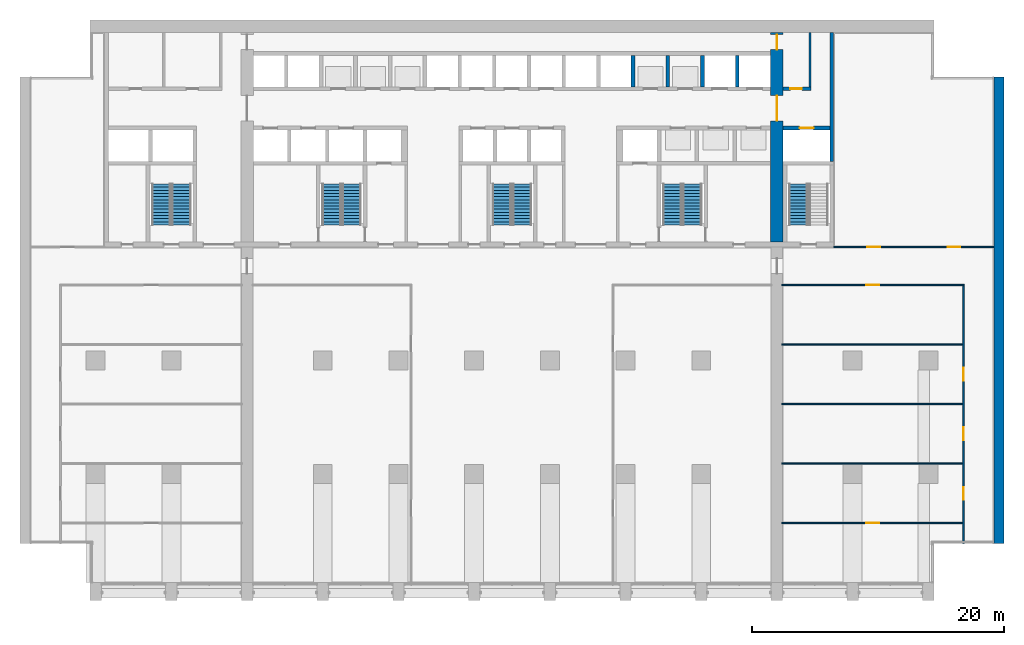
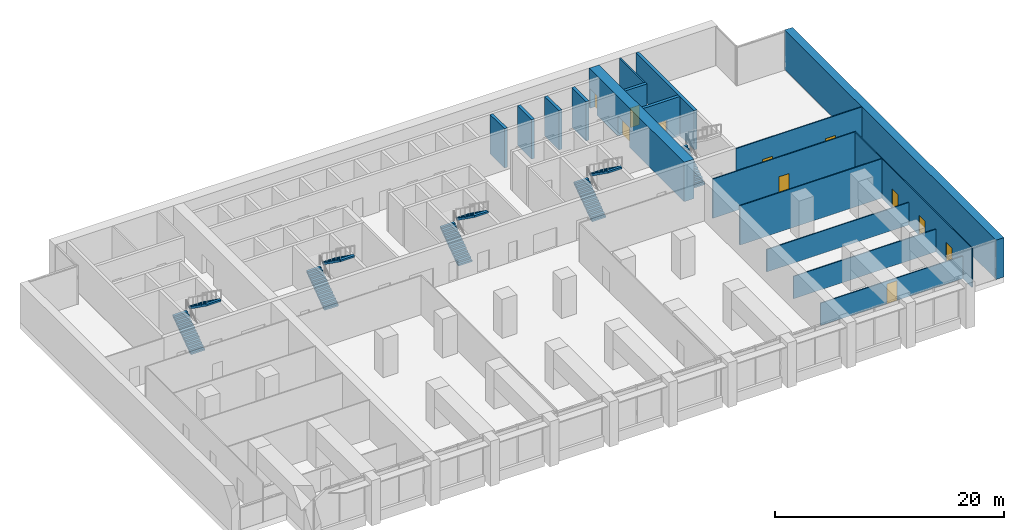
# One storey, part 12 of 18: 17 walls, 11 doors, 9 stair flights, 11 openings, 5 elements without a shape of their own.
"""IFC4 building model written with IfcOpenShell, lengths in metres."""

from ifc_helpers import new_model, si_unit, direction, frame, frame_2d, origin, place, context, subcontext, project, spatial, polyline, rectangle, outline, extrude, material, layer, layer_set, type_object, element, fill, aggregate, save


model = new_model("IFC4")

# Units and contexts
model_context = context("Model", 3, precision=1e-05, world=origin(), true_north=direction((0.0, 1.0)))
body_context = subcontext(model_context, "Body", "Model", "MODEL_VIEW")
ifc_project = project(units=[si_unit("LENGTHUNIT", "METRE"), si_unit("AREAUNIT", "SQUARE_METRE"), si_unit("VOLUMEUNIT", "CUBIC_METRE"), si_unit("PLANEANGLEUNIT", "RADIAN"), si_unit("MASSUNIT", "GRAM", prefix="KILO")], contexts=[model_context])

# Site, building, storey
site_placement = place(None, origin())
site = spatial("IfcSite", under=ifc_project, at=site_placement, CompositionType="ELEMENT")
building_placement = place(site_placement, origin())
building = spatial("IfcBuilding", under=site, at=building_placement, Name="Calvaro Tower", CompositionType="ELEMENT")
storey_placement = place(building_placement, frame((0.0, 0.0, 90.0)))
storey = spatial("IfcBuildingStorey", under=building, at=storey_placement, Name="L22", CompositionType="ELEMENT", Elevation=90.0)

# Wall
ifc_material_1 = material(Name="Blockwork partition", Category="masonry")
ifc_layer_1 = layer(ifc_material_1, 0.14990234375)
ifc_layer_set_1 = layer_set([ifc_layer_1], Name="Blockwork partition")
wall_type_1 = type_object("IfcWallType", Name="Core partition 150 REI 120", PredefinedType="PARTITIONING", material=ifc_layer_set_1)
wall_1_placement = place(storey_placement, frame((62.625, 40.699951171875, 0.0), z_axis=(0.0, 0.0, 1.0), x_axis=(0.0, 1.0, 0.0)))
element("IfcWall", 1, at=wall_1_placement, inside=storey, type_object=wall_type_1, Name="Core partition", PredefinedType="PARTITIONING", context=body_context, shape_type="SweptSolid", body=[
    extrude(rectangle(XDim=4.300048828125, YDim=0.14990234375, at=frame_2d((2.14990234375, 0.0))), origin(), (0.0, 0.0, 1.0), 4.199951171875),
])

# Wall, opening, door
ifc_material_2 = material(Name="Blockwork partition", Category="masonry")
ifc_layer_2 = layer(ifc_material_2, 0.300048828125)
ifc_layer_set_2 = layer_set([ifc_layer_2], Name="Blockwork partition")
wall_type_2 = type_object("IfcWallType", Name="Core partition 300 REI 120", PredefinedType="PARTITIONING", material=ifc_layer_set_2)
wall_2_placement = place(storey_placement, frame((60.5, 40.550048828125, 0.0), z_axis=(0.0, 0.0, 1.0), x_axis=(1.0, 0.0, 0.0)))
wall_2 = element("IfcWall", 2, at=wall_2_placement, inside=storey, type_object=wall_type_2, Name="Core partition", PredefinedType="PARTITIONING", context=body_context, shape_type="SweptSolid", body=[
    extrude(rectangle(XDim=2.199951171875, YDim=0.300048828125, at=frame_2d((1.10009765625, 0.0))), origin(), (0.0, 0.0, 1.0), 4.199951171875),
])
opening_1_placement = place(wall_2_placement, frame((0.574951171875, 0.0, 0.0)))
opening_1 = element("IfcOpeningElement", 3, at=opening_1_placement, cuts=wall_2, Name="Opening RD9E", PredefinedType="OPENING", context=body_context, shape_type="SweptSolid", body=[
    extrude(rectangle(XDim=0.89990234375, YDim=2.10009765625, at=frame_2d((0.449951171875, 1.050048828125))), frame((0.0, 0.159912109375, 0.0), z_axis=(0.0, -1.0, 0.0), x_axis=(1.0, 0.0, 0.0)), (0.0, 0.0, 1.0), 0.320068359375),
])
ifc_material_3 = material(Name="Steel door set", Category="steel")
door_type_1 = type_object("IfcDoorType", Name="Room door 900 FD60", OperationType="SINGLE_SWING_LEFT", PredefinedType="DOOR", material=ifc_material_3)
door_1_placement = place(opening_1_placement, origin())
door_1 = element("IfcDoor", 4, at=door_1_placement, inside=storey, type_object=door_type_1, Name="Room door", OperationType="SINGLE_SWING_LEFT", OverallHeight=2.10009765625, OverallWidth=0.89990234375, PredefinedType="DOOR", context=body_context, shape_type="SweptSolid", body=[
    extrude(rectangle(XDim=0.89990234375, YDim=2.10009765625, at=frame_2d((0.449951171875, 1.050048828125))), frame((0.0, 0.02490234375, 0.0), z_axis=(0.0, -1.0, 0.0), x_axis=(1.0, 0.0, 0.0)), (0.0, 0.0, 1.0), 0.050048828125),
])
fill(opening_1, door_1)

# Wall, openings, doors
ifc_material_4 = material(Name="Concrete C80/95", Category="concrete")
ifc_layer_3 = layer(ifc_material_4, 1.0)
ifc_layer_set_3 = layer_set([ifc_layer_3], Name="Concrete C80/95")
wall_type_3 = type_object("IfcWallType", Name="Core wall C80/95 1000", PredefinedType="SHEAR", material=ifc_layer_set_3)
wall_3_placement = place(storey_placement, frame((60.0, 28.39990234375, 0.0), z_axis=(0.0, 0.0, 1.0), x_axis=(0.0, 1.0, 0.0)))
wall_3 = element("IfcWall", 5, at=wall_3_placement, inside=storey, type_object=wall_type_3, Name="Core wall, cross shear wall", PredefinedType="SHEAR", context=body_context, shape_type="SweptSolid", body=[
    extrude(rectangle(XDim=16.60009765625, YDim=1.0, at=frame_2d((8.300048828125, 0.0))), origin(), (0.0, 0.0, 1.0), 4.199951171875),
])
opening_2_placement = place(wall_3_placement, frame((9.60009765625, 0.0, 0.0)))
opening_2 = element("IfcOpeningElement", 6, at=opening_2_placement, cuts=wall_3, Name="Opening DD20D", PredefinedType="OPENING", context=body_context, shape_type="SweptSolid", body=[
    extrude(rectangle(XDim=2.0, YDim=2.10009765625, at=frame_2d((1.0, 1.050048828125))), frame((0.0, 0.510009765625, 0.0), z_axis=(0.0, -1.0, 0.0), x_axis=(1.0, 0.0, 0.0)), (0.0, 0.0, 1.0), 1.02001953125),
])
opening_3_placement = place(wall_3_placement, frame((15.25, 0.0, 0.0)))
opening_3 = element("IfcOpeningElement", 7, at=opening_3_placement, cuts=wall_3, Name="Opening FD12C", PredefinedType="OPENING", context=body_context, shape_type="SweptSolid", body=[
    extrude(rectangle(XDim=1.199951171875, YDim=2.10009765625, at=frame_2d((0.60009765625, 1.050048828125))), frame((0.0, 0.510009765625, 0.0), z_axis=(0.0, -1.0, 0.0), x_axis=(1.0, 0.0, 0.0)), (0.0, 0.0, 1.0), 1.02001953125),
])
ifc_material_5 = material(Name="Steel door set", Category="steel")
door_type_2 = type_object("IfcDoorType", Name="Fire door 1200 FD30", OperationType="SINGLE_SWING_LEFT", PredefinedType="DOOR", material=ifc_material_5)
door_2_placement = place(opening_3_placement, origin())
door_2 = element("IfcDoor", 8, at=door_2_placement, inside=storey, type_object=door_type_2, Name="Fire door", OperationType="SINGLE_SWING_LEFT", OverallHeight=2.10009765625, OverallWidth=1.199951171875, PredefinedType="DOOR", context=body_context, shape_type="SweptSolid", body=[
    extrude(rectangle(XDim=1.199951171875, YDim=2.10009765625, at=frame_2d((0.60009765625, 1.050048828125))), frame((0.0, 0.02490234375, 0.0), z_axis=(0.0, -1.0, 0.0), x_axis=(1.0, 0.0, 0.0)), (0.0, 0.0, 1.0), 0.050048828125),
])
fill(opening_3, door_2)
ifc_material_6 = material(Name="Steel door set", Category="steel")
door_type_3 = type_object("IfcDoorType", Name="Lobby double door 2000 FD30S", OperationType="DOUBLE_DOOR_SINGLE_SWING", PredefinedType="DOOR", material=ifc_material_6)
door_3_placement = place(opening_2_placement, origin())
door_3 = element("IfcDoor", 9, at=door_3_placement, inside=storey, type_object=door_type_3, Name="Lobby double door", OperationType="DOUBLE_DOOR_SINGLE_SWING", OverallHeight=2.10009765625, OverallWidth=2.0, PredefinedType="DOOR", context=body_context, shape_type="SweptSolid", body=[
    extrude(rectangle(XDim=2.0, YDim=2.10009765625, at=frame_2d((1.0, 1.050048828125))), frame((0.0, 0.02490234375, 0.0), z_axis=(0.0, -1.0, 0.0), x_axis=(1.0, 0.0, 0.0)), (0.0, 0.0, 1.0), 0.050048828125),
])
fill(opening_2, door_3)

# Wall
ifc_material_7 = material(Name="Concrete C80/95", Category="concrete")
ifc_layer_4 = layer(ifc_material_7, 0.300048828125)
ifc_layer_set_4 = layer_set([ifc_layer_4], Name="Concrete C80/95")
wall_type_4 = type_object("IfcWallType", Name="Core wall C80/95 300", PredefinedType="SHEAR", material=ifc_layer_set_4)
wall_4_placement = place(storey_placement, frame((64.35009765625, 34.800048828125, 0.0), z_axis=(0.0, 0.0, 1.0), x_axis=(0.0, 1.0, 0.0)))
element("IfcWall", 10, at=wall_4_placement, inside=storey, type_object=wall_type_4, Name="Core wall, boundary", PredefinedType="SHEAR", context=body_context, shape_type="SweptSolid", body=[
    extrude(rectangle(XDim=10.199951171875, YDim=0.300048828125, at=frame_2d((5.10009765625, 0.0))), origin(), (0.0, 0.0, 1.0), 4.199951171875),
])

# Wall, opening, door
wall_5_placement = place(storey_placement, frame((60.5, 37.449951171875, 0.0), z_axis=(0.0, 0.0, 1.0), x_axis=(1.0, 0.0, 0.0)))
wall_5 = element("IfcWall", 11, at=wall_5_placement, inside=storey, type_object=wall_type_4, Name="Core wall, lift shaft", PredefinedType="SHEAR", context=body_context, shape_type="SweptSolid", body=[
    extrude(rectangle(XDim=3.699951171875, YDim=0.300048828125, at=frame_2d((1.85009765625, 0.0))), origin(), (0.0, 0.0, 1.0), 4.199951171875),
])
opening_4_placement = place(wall_5_placement, frame((1.300048828125, 0.0, 0.0)))
opening_4 = element("IfcOpeningElement", 12, at=opening_4_placement, cuts=wall_5, Name="Opening FF3", PredefinedType="OPENING", context=body_context, shape_type="SweptSolid", body=[
    extrude(rectangle(XDim=1.10009765625, YDim=2.10009765625, at=frame_2d((0.550048828125, 1.050048828125))), frame((0.0, 0.159912109375, 0.0), z_axis=(0.0, -1.0, 0.0), x_axis=(1.0, 0.0, 0.0)), (0.0, 0.0, 1.0), 0.320068359375),
])
ifc_material_8 = material(Name="Stainless steel", Category="steel")
door_type_4 = type_object("IfcDoorType", Name="Landing door 1100 E 60", OperationType="SLIDING_TO_LEFT", PredefinedType="DOOR", material=ifc_material_8)
door_4_placement = place(opening_4_placement, origin())
door_4 = element("IfcDoor", 13, at=door_4_placement, inside=storey, type_object=door_type_4, Name="Landing door FF3", OperationType="SLIDING_TO_LEFT", OverallHeight=2.10009765625, OverallWidth=1.10009765625, PredefinedType="DOOR", context=body_context, shape_type="SweptSolid", body=[
    extrude(rectangle(XDim=1.10009765625, YDim=2.10009765625, at=frame_2d((0.550048828125, 1.050048828125))), frame((0.0, 0.02490234375, 0.0), z_axis=(0.0, -1.0, 0.0), x_axis=(1.0, 0.0, 0.0)), (0.0, 0.0, 1.0), 0.050048828125),
])
fill(opening_4, door_4)

# Walls
for number, where, z_axis, x_axis, name in (
    (14, (48.60009765625, 40.699951171875, 0.0), (0.0, 0.0, 1.0), (0.0, 1.0, 0.0), "Core wall, lift shaft"),
    (15, (51.35009765625, 40.699951171875, 0.0), (0.0, 0.0, 1.0), (0.0, 1.0, 0.0), "Core wall, lift shaft"),
    (16, (54.10009765625, 40.699951171875, 0.0), (0.0, 0.0, 1.0), (0.0, 1.0, 0.0), "Core wall, lift shaft"),
    (17, (56.85009765625, 40.699951171875, 0.0), (0.0, 0.0, 1.0), (0.0, 1.0, 0.0), "Core wall, lift shaft"),
):
    element("IfcWall", number, at=place(storey_placement, frame(where, z_axis=z_axis, x_axis=x_axis)), inside=storey, type_object=wall_type_4, Name=name, PredefinedType="SHEAR", context=body_context, shape_type="SweptSolid", body=[
        extrude(rectangle(XDim=2.5, YDim=0.300048828125, at=frame_2d((1.25, 0.0))), origin(), (0.0, 0.0, 1.0), 4.199951171875),
    ])
ifc_material_9 = material(Name="Concrete C80/95", Category="concrete")
ifc_layer_5 = layer(ifc_material_9, 0.800048828125)
ifc_layer_set_5 = layer_set([ifc_layer_5], Name="Concrete C80/95")
wall_type_5 = type_object("IfcWallType", Name="End wall 800 C80/95", PredefinedType="SHEAR", material=ifc_layer_set_5)
wall_6_placement = place(storey_placement, frame((77.60009765625, 4.5, 0.0), z_axis=(0.0, 0.0, 1.0), x_axis=(0.0, 1.0, 0.0)))
element("IfcWall", 18, at=wall_6_placement, inside=storey, type_object=wall_type_5, Name="End shear wall", PredefinedType="SHEAR", context=body_context, shape_type="SweptSolid", body=[
    extrude(rectangle(XDim=37.0, YDim=0.800048828125, at=frame_2d((18.5, 0.0))), origin(), (0.0, 0.0, 1.0), 4.199951171875),
])

# Wall, opening, door
ifc_material_10 = material(Name="Plasterboard on steel studs", Category="steel")
ifc_layer_6 = layer(ifc_material_10, 0.10009765625)
ifc_layer_set_6 = layer_set([ifc_layer_6], Name="Plasterboard on steel studs")
wall_type_6 = type_object("IfcWallType", Name="Partition 100 REI 120", PredefinedType="PARTITIONING", material=ifc_layer_set_6)
wall_7_placement = place(storey_placement, frame((60.39990234375, 6.1201171875, 0.0), z_axis=(0.0, 0.0, 1.0), x_axis=(1.0, 0.0, 0.0)))
wall_7 = element("IfcWall", 19, at=wall_7_placement, inside=storey, type_object=wall_type_6, Name="Partition T15.W002", PredefinedType="PARTITIONING", context=body_context, shape_type="SweptSolid", body=[
    extrude(rectangle(XDim=14.35009765625, YDim=0.10009765625, at=frame_2d((7.175048828125, 0.0))), origin(), (0.0, 0.0, 1.0), 2.39990234375),
])
opening_5_placement = place(wall_7_placement, frame((6.699951171875, 0.0, 0.0)))
opening_5 = element("IfcOpeningElement", 20, at=opening_5_placement, cuts=wall_7, Name="Opening T15.002", PredefinedType="OPENING", context=body_context, shape_type="SweptSolid", body=[
    extrude(rectangle(XDim=1.0, YDim=2.10009765625, at=frame_2d((0.5, 1.050048828125))), frame((0.0, 0.06005859375, 0.0), z_axis=(0.0, -1.0, 0.0), x_axis=(1.0, 0.0, 0.0)), (0.0, 0.0, 1.0), 0.1201171875),
])
ifc_material_11 = material(Name="Timber", Category="wood")
door_type_5 = type_object("IfcDoorType", Name="Internal single door 1000 x 2100 FD60", OperationType="SINGLE_SWING_LEFT", PredefinedType="DOOR", material=ifc_material_11)
door_5_placement = place(opening_5_placement, origin())
door_5 = element("IfcDoor", 21, at=door_5_placement, inside=storey, type_object=door_type_5, Name="Door T15.002", OperationType="SINGLE_SWING_RIGHT", OverallHeight=2.10009765625, OverallWidth=1.0, PredefinedType="DOOR", context=body_context, shape_type="SweptSolid", body=[
    extrude(rectangle(XDim=1.0, YDim=2.10009765625, at=frame_2d((0.5, 1.050048828125))), frame((0.0, 0.02490234375, 0.0), z_axis=(0.0, -1.0, 0.0), x_axis=(1.0, 0.0, 0.0)), (0.0, 0.0, 1.0), 0.050048828125),
])
fill(opening_5, door_5)

# Walls
for number, where, z_axis, x_axis, name in (
    (22, (60.39990234375, 10.840087890625, 0.0), (0.0, 0.0, 1.0), (1.0, 0.0, 0.0), "Partition T15.W004"),
    (23, (60.39990234375, 15.56005859375, 0.0), (0.0, 0.0, 1.0), (1.0, 0.0, 0.0), "Partition T15.W006"),
):
    element("IfcWall", number, at=place(storey_placement, frame(where, z_axis=z_axis, x_axis=x_axis)), inside=storey, type_object=wall_type_6, Name=name, PredefinedType="PARTITIONING", context=body_context, shape_type="SweptSolid", body=[
        extrude(rectangle(XDim=14.35009765625, YDim=0.10009765625, at=frame_2d((7.175048828125, 0.0))), origin(), (0.0, 0.0, 1.0), 2.39990234375),
    ])
wall_8_placement = place(storey_placement, frame((60.39990234375, 20.280029296875, 0.0), z_axis=(0.0, 0.0, 1.0), x_axis=(1.0, 0.0, 0.0)))
element("IfcWall", 24, at=wall_8_placement, inside=storey, type_object=wall_type_6, Name="Partition T15.W008", PredefinedType="PARTITIONING", context=body_context, shape_type="SweptSolid", body=[
    extrude(rectangle(XDim=14.35009765625, YDim=0.10009765625, at=frame_2d((7.175048828125, 0.0))), origin(), (0.0, 0.0, 1.0), 4.199951171875),
])

# Wall, opening, door
wall_9_placement = place(storey_placement, frame((60.39990234375, 25.0, 0.0), z_axis=(0.0, 0.0, 1.0), x_axis=(1.0, 0.0, 0.0)))
wall_9 = element("IfcWall", 25, at=wall_9_placement, inside=storey, type_object=wall_type_6, Name="Partition T15.W012", PredefinedType="PARTITIONING", context=body_context, shape_type="SweptSolid", body=[
    extrude(rectangle(XDim=14.4501953125, YDim=0.10009765625, at=frame_2d((7.22509765625, 0.0))), origin(), (0.0, 0.0, 1.0), 4.199951171875),
])
opening_6_placement = place(wall_9_placement, frame((6.699951171875, 0.0, 0.0)))
opening_6 = element("IfcOpeningElement", 26, at=opening_6_placement, cuts=wall_9, Name="Opening T15.014", PredefinedType="OPENING", context=body_context, shape_type="SweptSolid", body=[
    extrude(rectangle(XDim=1.0, YDim=2.10009765625, at=frame_2d((0.5, 1.050048828125))), frame((0.0, 0.06005859375, 0.0), z_axis=(0.0, -1.0, 0.0), x_axis=(1.0, 0.0, 0.0)), (0.0, 0.0, 1.0), 0.1201171875),
])
door_6_placement = place(opening_6_placement, origin())
door_6 = element("IfcDoor", 27, at=door_6_placement, inside=storey, type_object=door_type_5, Name="Door T15.014", OperationType="SINGLE_SWING_LEFT", OverallHeight=2.10009765625, OverallWidth=1.0, PredefinedType="DOOR", context=body_context, shape_type="SweptSolid", body=[
    extrude(rectangle(XDim=1.0, YDim=2.10009765625, at=frame_2d((0.5, 1.050048828125))), frame((0.0, 0.02490234375, 0.0), z_axis=(0.0, -1.0, 0.0), x_axis=(1.0, 0.0, 0.0)), (0.0, 0.0, 1.0), 0.050048828125),
])
fill(opening_6, door_6)

# Wall, openings, doors
wall_10_placement = place(storey_placement, frame((64.5, 28.0, 0.0), z_axis=(0.0, 0.0, 1.0), x_axis=(1.0, 0.0, 0.0)))
wall_10 = element("IfcWall", 28, at=wall_10_placement, inside=storey, type_object=wall_type_6, Name="Partition T15.W014", PredefinedType="PARTITIONING", context=body_context, shape_type="SweptSolid", body=[
    extrude(rectangle(XDim=12.699951171875, YDim=0.10009765625, at=frame_2d((6.35009765625, 0.0))), origin(), (0.0, 0.0, 1.0), 4.199951171875),
])
opening_7_placement = place(wall_10_placement, frame((2.675048828125, 0.0, 0.0)))
opening_7 = element("IfcOpeningElement", 29, at=opening_7_placement, cuts=wall_10, Name="Opening T15.016", PredefinedType="OPENING", context=body_context, shape_type="SweptSolid", body=[
    extrude(rectangle(XDim=1.0, YDim=2.10009765625, at=frame_2d((0.5, 1.050048828125))), frame((0.0, 0.06005859375, 0.0), z_axis=(0.0, -1.0, 0.0), x_axis=(1.0, 0.0, 0.0)), (0.0, 0.0, 1.0), 0.1201171875),
])
opening_8_placement = place(wall_10_placement, frame((9.02490234375, 0.0, 0.0)))
opening_8 = element("IfcOpeningElement", 30, at=opening_8_placement, cuts=wall_10, Name="Opening T15.017", PredefinedType="OPENING", context=body_context, shape_type="SweptSolid", body=[
    extrude(rectangle(XDim=1.0, YDim=2.10009765625, at=frame_2d((0.5, 1.050048828125))), frame((0.0, 0.06005859375, 0.0), z_axis=(0.0, -1.0, 0.0), x_axis=(1.0, 0.0, 0.0)), (0.0, 0.0, 1.0), 0.1201171875),
])
door_7_placement = place(opening_7_placement, origin())
door_7 = element("IfcDoor", 31, at=door_7_placement, inside=storey, type_object=door_type_5, Name="Door T15.016", OperationType="SINGLE_SWING_LEFT", OverallHeight=2.10009765625, OverallWidth=1.0, PredefinedType="DOOR", context=body_context, shape_type="SweptSolid", body=[
    extrude(rectangle(XDim=1.0, YDim=2.10009765625, at=frame_2d((0.5, 1.050048828125))), frame((0.0, 0.02490234375, 0.0), z_axis=(0.0, -1.0, 0.0), x_axis=(1.0, 0.0, 0.0)), (0.0, 0.0, 1.0), 0.050048828125),
])
fill(opening_7, door_7)
door_8_placement = place(opening_8_placement, origin())
door_8 = element("IfcDoor", 32, at=door_8_placement, inside=storey, type_object=door_type_5, Name="Door T15.017", OperationType="SINGLE_SWING_RIGHT", OverallHeight=2.10009765625, OverallWidth=1.0, PredefinedType="DOOR", context=body_context, shape_type="SweptSolid", body=[
    extrude(rectangle(XDim=1.0, YDim=2.10009765625, at=frame_2d((0.5, 1.050048828125))), frame((0.0, 0.02490234375, 0.0), z_axis=(0.0, -1.0, 0.0), x_axis=(1.0, 0.0, 0.0)), (0.0, 0.0, 1.0), 0.050048828125),
])
fill(opening_8, door_8)

wall_11_placement = place(storey_placement, frame((74.800048828125, 4.5, 0.0), z_axis=(0.0, 0.0, 1.0), x_axis=(0.0, 1.0, 0.0)))
wall_11 = element("IfcWall", 33, at=wall_11_placement, inside=storey, type_object=wall_type_6, Name="Partition T15.W018", PredefinedType="PARTITIONING", context=body_context, shape_type="SweptSolid", body=[
    extrude(rectangle(XDim=20.449951171875, YDim=0.10009765625, at=frame_2d((10.22509765625, 0.0))), origin(), (0.0, 0.0, 1.0), 4.199951171875),
])
opening_9_placement = place(wall_11_placement, frame((3.47998046875, 0.0, 0.0)))
opening_9 = element("IfcOpeningElement", 34, at=opening_9_placement, cuts=wall_11, Name="Opening T15.004", PredefinedType="OPENING", context=body_context, shape_type="SweptSolid", body=[
    extrude(rectangle(XDim=1.0, YDim=2.10009765625, at=frame_2d((0.5, 1.050048828125))), frame((0.0, 0.06005859375, 0.0), z_axis=(0.0, -1.0, 0.0), x_axis=(1.0, 0.0, 0.0)), (0.0, 0.0, 1.0), 0.1201171875),
])
opening_10_placement = place(wall_11_placement, frame((8.199951171875, 0.0, 0.0)))
opening_10 = element("IfcOpeningElement", 35, at=opening_10_placement, cuts=wall_11, Name="Opening T15.010", PredefinedType="OPENING", context=body_context, shape_type="SweptSolid", body=[
    extrude(rectangle(XDim=1.0, YDim=2.10009765625, at=frame_2d((0.5, 1.050048828125))), frame((0.0, 0.06005859375, 0.0), z_axis=(0.0, -1.0, 0.0), x_axis=(1.0, 0.0, 0.0)), (0.0, 0.0, 1.0), 0.1201171875),
])
opening_11_placement = place(wall_11_placement, frame((12.919921875, 0.0, 0.0)))
opening_11 = element("IfcOpeningElement", 36, at=opening_11_placement, cuts=wall_11, Name="Opening T15.012", PredefinedType="OPENING", context=body_context, shape_type="SweptSolid", body=[
    extrude(rectangle(XDim=1.0, YDim=2.10009765625, at=frame_2d((0.5, 1.050048828125))), frame((0.0, 0.06005859375, 0.0), z_axis=(0.0, -1.0, 0.0), x_axis=(1.0, 0.0, 0.0)), (0.0, 0.0, 1.0), 0.1201171875),
])
door_9_placement = place(opening_9_placement, origin())
door_9 = element("IfcDoor", 37, at=door_9_placement, inside=storey, type_object=door_type_5, Name="Door T15.004", OperationType="SINGLE_SWING_LEFT", OverallHeight=2.10009765625, OverallWidth=1.0, PredefinedType="DOOR", context=body_context, shape_type="SweptSolid", body=[
    extrude(rectangle(XDim=1.0, YDim=2.10009765625, at=frame_2d((0.5, 1.050048828125))), frame((0.0, 0.02490234375, 0.0), z_axis=(0.0, -1.0, 0.0), x_axis=(1.0, 0.0, 0.0)), (0.0, 0.0, 1.0), 0.050048828125),
])
fill(opening_9, door_9)
door_10_placement = place(opening_10_placement, origin())
door_10 = element("IfcDoor", 38, at=door_10_placement, inside=storey, type_object=door_type_5, Name="Door T15.010", OperationType="SINGLE_SWING_LEFT", OverallHeight=2.10009765625, OverallWidth=1.0, PredefinedType="DOOR", context=body_context, shape_type="SweptSolid", body=[
    extrude(rectangle(XDim=1.0, YDim=2.10009765625, at=frame_2d((0.5, 1.050048828125))), frame((0.0, 0.02490234375, 0.0), z_axis=(0.0, -1.0, 0.0), x_axis=(1.0, 0.0, 0.0)), (0.0, 0.0, 1.0), 0.050048828125),
])
fill(opening_10, door_10)
door_11_placement = place(opening_11_placement, origin())
door_11 = element("IfcDoor", 39, at=door_11_placement, inside=storey, type_object=door_type_5, Name="Door T15.012", OperationType="SINGLE_SWING_RIGHT", OverallHeight=2.10009765625, OverallWidth=1.0, PredefinedType="DOOR", context=body_context, shape_type="SweptSolid", body=[
    extrude(rectangle(XDim=1.0, YDim=2.10009765625, at=frame_2d((0.5, 1.050048828125))), frame((0.0, 0.02490234375, 0.0), z_axis=(0.0, -1.0, 0.0), x_axis=(1.0, 0.0, 0.0)), (0.0, 0.0, 1.0), 0.050048828125),
])
fill(opening_11, door_11)

# Stair, stair flights
ifc_material_12 = material(Name="Concrete C40/50", Category="concrete")
stair_type = type_object("IfcStairType", Name="Exit stair 1400 2 flights", PredefinedType="HALF_TURN_STAIR", material=ifc_material_12)
stair_1_placement = place(storey_placement, origin())
stair_1 = element("IfcStair", 40, at=stair_1_placement, inside=storey, type_object=stair_type, Name="Exit stair S1", PredefinedType="HALF_TURN_STAIR")
ifc_material_13 = material(Name="Concrete C40/50", Category="concrete")
stair_flight_type = type_object("IfcStairFlightType", Name="Stair flight", PredefinedType="STRAIGHT", material=ifc_material_13)
stair_flight_1_placement = place(storey_placement, frame((11.199951171875, 29.75, 0.0), z_axis=(0.0, 0.0, 1.0), x_axis=(0.0, 1.0, 0.0)))
stair_flight_1 = element("IfcStairFlight", 41, at=stair_flight_1_placement, type_object=stair_flight_type, Name="Exit stair 1, flight 1", NumberOfRisers=14, NumberOfTreads=13, PredefinedType="STRAIGHT", RiserHeight=0.178571429, TreadLength=0.25, context=body_context, shape_type="SweptSolid", body=[
    extrude(outline(polyline([(0.0, 0.0), (0.0, 0.178466796875), (0.25, 0.178466796875), (0.25, 0.357177734375), (0.5, 0.357177734375), (0.5, 0.53564453125), (0.75, 0.53564453125), (0.75, 0.71435546875), (1.0, 0.71435546875), (1.0, 0.892822265625), (1.25, 0.892822265625), (1.25, 1.071533203125), (1.5, 1.071533203125), (1.5, 1.25), (1.75, 1.25), (1.75, 1.428466796875), (2.0, 1.428466796875), (2.0, 1.607177734375), (2.25, 1.607177734375), (2.25, 1.78564453125), (2.5, 1.78564453125), (2.5, 1.96435546875), (2.75, 1.96435546875), (2.75, 2.142822265625), (3.0, 2.142822265625), (3.0, 2.321533203125), (3.25, 2.321533203125), (3.25, 2.5), (3.25, 2.13720703125), (0.2578125, 0.0), (0.0, 0.0)])), frame((0.0, 0.699951171875, 0.0), z_axis=(0.0, -1.0, 0.0), x_axis=(1.0, 0.0, 0.0)), (0.0, 0.0, 1.0), 1.39990234375),
])
stair_flight_2_placement = place(storey_placement, frame((12.800048828125, 33.0, 2.5), z_axis=(0.0, 0.0, 1.0), x_axis=(0.0, -1.0, 0.0)))
stair_flight_2 = element("IfcStairFlight", 42, at=stair_flight_2_placement, type_object=stair_flight_type, Name="Exit stair 1, flight 2", NumberOfRisers=14, NumberOfTreads=13, PredefinedType="STRAIGHT", RiserHeight=0.178571429, TreadLength=0.25, context=body_context, shape_type="SweptSolid", body=[
    extrude(outline(polyline([(0.0, 0.0), (0.0, 0.178466796875), (0.25, 0.178466796875), (0.25, 0.357177734375), (0.5, 0.357177734375), (0.5, 0.53564453125), (0.75, 0.53564453125), (0.75, 0.71435546875), (1.0, 0.71435546875), (1.0, 0.892822265625), (1.25, 0.892822265625), (1.25, 1.071533203125), (1.5, 1.071533203125), (1.5, 1.25), (1.75, 1.25), (1.75, 1.428466796875), (2.0, 1.428466796875), (2.0, 1.607177734375), (2.25, 1.607177734375), (2.25, 1.78564453125), (2.5, 1.78564453125), (2.5, 1.96435546875), (2.75, 1.96435546875), (2.75, 2.142822265625), (3.0, 2.142822265625), (3.0, 2.321533203125), (3.25, 2.321533203125), (3.25, 2.5), (3.25, 2.13720703125), (0.2578125, 0.0), (0.0, 0.0)])), frame((0.0, 0.699951171875, 0.0), z_axis=(0.0, -1.0, 0.0), x_axis=(1.0, 0.0, 0.0)), (0.0, 0.0, 1.0), 1.39990234375),
])
aggregate(stair_1, [stair_flight_1, stair_flight_2])

stair_2_placement = place(storey_placement, origin())
stair_2 = element("IfcStair", 43, at=stair_2_placement, inside=storey, type_object=stair_type, Name="Exit stair S2", PredefinedType="HALF_TURN_STAIR")
stair_flight_3_placement = place(storey_placement, frame((24.699951171875, 29.75, 0.0), z_axis=(0.0, 0.0, 1.0), x_axis=(0.0, 1.0, 0.0)))
stair_flight_3 = element("IfcStairFlight", 44, at=stair_flight_3_placement, type_object=stair_flight_type, Name="Exit stair 2, flight 1", NumberOfRisers=14, NumberOfTreads=13, PredefinedType="STRAIGHT", RiserHeight=0.178571429, TreadLength=0.25, context=body_context, shape_type="SweptSolid", body=[
    extrude(outline(polyline([(0.0, 0.0), (0.0, 0.178466796875), (0.25, 0.178466796875), (0.25, 0.357177734375), (0.5, 0.357177734375), (0.5, 0.53564453125), (0.75, 0.53564453125), (0.75, 0.71435546875), (1.0, 0.71435546875), (1.0, 0.892822265625), (1.25, 0.892822265625), (1.25, 1.071533203125), (1.5, 1.071533203125), (1.5, 1.25), (1.75, 1.25), (1.75, 1.428466796875), (2.0, 1.428466796875), (2.0, 1.607177734375), (2.25, 1.607177734375), (2.25, 1.78564453125), (2.5, 1.78564453125), (2.5, 1.96435546875), (2.75, 1.96435546875), (2.75, 2.142822265625), (3.0, 2.142822265625), (3.0, 2.321533203125), (3.25, 2.321533203125), (3.25, 2.5), (3.25, 2.13720703125), (0.2578125, 0.0), (0.0, 0.0)])), frame((0.0, 0.699951171875, 0.0), z_axis=(0.0, -1.0, 0.0), x_axis=(1.0, 0.0, 0.0)), (0.0, 0.0, 1.0), 1.39990234375),
])
stair_flight_4_placement = place(storey_placement, frame((26.300048828125, 33.0, 2.5), z_axis=(0.0, 0.0, 1.0), x_axis=(0.0, -1.0, 0.0)))
stair_flight_4 = element("IfcStairFlight", 45, at=stair_flight_4_placement, type_object=stair_flight_type, Name="Exit stair 2, flight 2", NumberOfRisers=14, NumberOfTreads=13, PredefinedType="STRAIGHT", RiserHeight=0.178571429, TreadLength=0.25, context=body_context, shape_type="SweptSolid", body=[
    extrude(outline(polyline([(0.0, 0.0), (0.0, 0.178466796875), (0.25, 0.178466796875), (0.25, 0.357177734375), (0.5, 0.357177734375), (0.5, 0.53564453125), (0.75, 0.53564453125), (0.75, 0.71435546875), (1.0, 0.71435546875), (1.0, 0.892822265625), (1.25, 0.892822265625), (1.25, 1.071533203125), (1.5, 1.071533203125), (1.5, 1.25), (1.75, 1.25), (1.75, 1.428466796875), (2.0, 1.428466796875), (2.0, 1.607177734375), (2.25, 1.607177734375), (2.25, 1.78564453125), (2.5, 1.78564453125), (2.5, 1.96435546875), (2.75, 1.96435546875), (2.75, 2.142822265625), (3.0, 2.142822265625), (3.0, 2.321533203125), (3.25, 2.321533203125), (3.25, 2.5), (3.25, 2.13720703125), (0.2578125, 0.0), (0.0, 0.0)])), frame((0.0, 0.699951171875, 0.0), z_axis=(0.0, -1.0, 0.0), x_axis=(1.0, 0.0, 0.0)), (0.0, 0.0, 1.0), 1.39990234375),
])
aggregate(stair_2, [stair_flight_3, stair_flight_4])

stair_3_placement = place(storey_placement, origin())
stair_3 = element("IfcStair", 46, at=stair_3_placement, inside=storey, type_object=stair_type, Name="Exit stair S3", PredefinedType="HALF_TURN_STAIR")
stair_flight_5_placement = place(storey_placement, frame((38.199951171875, 29.75, 0.0), z_axis=(0.0, 0.0, 1.0), x_axis=(0.0, 1.0, 0.0)))
stair_flight_5 = element("IfcStairFlight", 47, at=stair_flight_5_placement, type_object=stair_flight_type, Name="Exit stair 3, flight 1", NumberOfRisers=14, NumberOfTreads=13, PredefinedType="STRAIGHT", RiserHeight=0.178571429, TreadLength=0.25, context=body_context, shape_type="SweptSolid", body=[
    extrude(outline(polyline([(0.0, 0.0), (0.0, 0.178466796875), (0.25, 0.178466796875), (0.25, 0.357177734375), (0.5, 0.357177734375), (0.5, 0.53564453125), (0.75, 0.53564453125), (0.75, 0.71435546875), (1.0, 0.71435546875), (1.0, 0.892822265625), (1.25, 0.892822265625), (1.25, 1.071533203125), (1.5, 1.071533203125), (1.5, 1.25), (1.75, 1.25), (1.75, 1.428466796875), (2.0, 1.428466796875), (2.0, 1.607177734375), (2.25, 1.607177734375), (2.25, 1.78564453125), (2.5, 1.78564453125), (2.5, 1.96435546875), (2.75, 1.96435546875), (2.75, 2.142822265625), (3.0, 2.142822265625), (3.0, 2.321533203125), (3.25, 2.321533203125), (3.25, 2.5), (3.25, 2.13720703125), (0.2578125, 0.0), (0.0, 0.0)])), frame((0.0, 0.699951171875, 0.0), z_axis=(0.0, -1.0, 0.0), x_axis=(1.0, 0.0, 0.0)), (0.0, 0.0, 1.0), 1.39990234375),
])
stair_flight_6_placement = place(storey_placement, frame((39.800048828125, 33.0, 2.5), z_axis=(0.0, 0.0, 1.0), x_axis=(0.0, -1.0, 0.0)))
stair_flight_6 = element("IfcStairFlight", 48, at=stair_flight_6_placement, type_object=stair_flight_type, Name="Exit stair 3, flight 2", NumberOfRisers=14, NumberOfTreads=13, PredefinedType="STRAIGHT", RiserHeight=0.178571429, TreadLength=0.25, context=body_context, shape_type="SweptSolid", body=[
    extrude(outline(polyline([(0.0, 0.0), (0.0, 0.178466796875), (0.25, 0.178466796875), (0.25, 0.357177734375), (0.5, 0.357177734375), (0.5, 0.53564453125), (0.75, 0.53564453125), (0.75, 0.71435546875), (1.0, 0.71435546875), (1.0, 0.892822265625), (1.25, 0.892822265625), (1.25, 1.071533203125), (1.5, 1.071533203125), (1.5, 1.25), (1.75, 1.25), (1.75, 1.428466796875), (2.0, 1.428466796875), (2.0, 1.607177734375), (2.25, 1.607177734375), (2.25, 1.78564453125), (2.5, 1.78564453125), (2.5, 1.96435546875), (2.75, 1.96435546875), (2.75, 2.142822265625), (3.0, 2.142822265625), (3.0, 2.321533203125), (3.25, 2.321533203125), (3.25, 2.5), (3.25, 2.13720703125), (0.2578125, 0.0), (0.0, 0.0)])), frame((0.0, 0.699951171875, 0.0), z_axis=(0.0, -1.0, 0.0), x_axis=(1.0, 0.0, 0.0)), (0.0, 0.0, 1.0), 1.39990234375),
])
aggregate(stair_3, [stair_flight_5, stair_flight_6])

stair_4_placement = place(storey_placement, origin())
stair_4 = element("IfcStair", 49, at=stair_4_placement, inside=storey, type_object=stair_type, Name="Exit stair S4", PredefinedType="HALF_TURN_STAIR")
stair_flight_7_placement = place(storey_placement, frame((51.699951171875, 29.75, 0.0), z_axis=(0.0, 0.0, 1.0), x_axis=(0.0, 1.0, 0.0)))
stair_flight_7 = element("IfcStairFlight", 50, at=stair_flight_7_placement, type_object=stair_flight_type, Name="Exit stair 4, flight 1", NumberOfRisers=14, NumberOfTreads=13, PredefinedType="STRAIGHT", RiserHeight=0.178571429, TreadLength=0.25, context=body_context, shape_type="SweptSolid", body=[
    extrude(outline(polyline([(0.0, 0.0), (0.0, 0.178466796875), (0.25, 0.178466796875), (0.25, 0.357177734375), (0.5, 0.357177734375), (0.5, 0.53564453125), (0.75, 0.53564453125), (0.75, 0.71435546875), (1.0, 0.71435546875), (1.0, 0.892822265625), (1.25, 0.892822265625), (1.25, 1.071533203125), (1.5, 1.071533203125), (1.5, 1.25), (1.75, 1.25), (1.75, 1.428466796875), (2.0, 1.428466796875), (2.0, 1.607177734375), (2.25, 1.607177734375), (2.25, 1.78564453125), (2.5, 1.78564453125), (2.5, 1.96435546875), (2.75, 1.96435546875), (2.75, 2.142822265625), (3.0, 2.142822265625), (3.0, 2.321533203125), (3.25, 2.321533203125), (3.25, 2.5), (3.25, 2.13720703125), (0.2578125, 0.0), (0.0, 0.0)])), frame((0.0, 0.699951171875, 0.0), z_axis=(0.0, -1.0, 0.0), x_axis=(1.0, 0.0, 0.0)), (0.0, 0.0, 1.0), 1.39990234375),
])
stair_flight_8_placement = place(storey_placement, frame((53.300048828125, 33.0, 2.5), z_axis=(0.0, 0.0, 1.0), x_axis=(0.0, -1.0, 0.0)))
stair_flight_8 = element("IfcStairFlight", 51, at=stair_flight_8_placement, type_object=stair_flight_type, Name="Exit stair 4, flight 2", NumberOfRisers=14, NumberOfTreads=13, PredefinedType="STRAIGHT", RiserHeight=0.178571429, TreadLength=0.25, context=body_context, shape_type="SweptSolid", body=[
    extrude(outline(polyline([(0.0, 0.0), (0.0, 0.178466796875), (0.25, 0.178466796875), (0.25, 0.357177734375), (0.5, 0.357177734375), (0.5, 0.53564453125), (0.75, 0.53564453125), (0.75, 0.71435546875), (1.0, 0.71435546875), (1.0, 0.892822265625), (1.25, 0.892822265625), (1.25, 1.071533203125), (1.5, 1.071533203125), (1.5, 1.25), (1.75, 1.25), (1.75, 1.428466796875), (2.0, 1.428466796875), (2.0, 1.607177734375), (2.25, 1.607177734375), (2.25, 1.78564453125), (2.5, 1.78564453125), (2.5, 1.96435546875), (2.75, 1.96435546875), (2.75, 2.142822265625), (3.0, 2.142822265625), (3.0, 2.321533203125), (3.25, 2.321533203125), (3.25, 2.5), (3.25, 2.13720703125), (0.2578125, 0.0), (0.0, 0.0)])), frame((0.0, 0.699951171875, 0.0), z_axis=(0.0, -1.0, 0.0), x_axis=(1.0, 0.0, 0.0)), (0.0, 0.0, 1.0), 1.39990234375),
])
aggregate(stair_4, [stair_flight_7, stair_flight_8])

# Stair, stair flight
stair_5_placement = place(storey_placement, origin())
stair_5 = element("IfcStair", 52, at=stair_5_placement, inside=storey, type_object=stair_type, Name="Exit stair S5", PredefinedType="HALF_TURN_STAIR")
stair_flight_9_placement = place(storey_placement, frame((61.699951171875, 29.75, 0.0), z_axis=(0.0, 0.0, 1.0), x_axis=(0.0, 1.0, 0.0)))
stair_flight_9 = element("IfcStairFlight", 53, at=stair_flight_9_placement, type_object=stair_flight_type, Name="Exit stair 5, flight 1", NumberOfRisers=14, NumberOfTreads=13, PredefinedType="STRAIGHT", RiserHeight=0.178571429, TreadLength=0.25, context=body_context, shape_type="SweptSolid", body=[
    extrude(outline(polyline([(0.0, 0.0), (0.0, 0.178466796875), (0.25, 0.178466796875), (0.25, 0.357177734375), (0.5, 0.357177734375), (0.5, 0.53564453125), (0.75, 0.53564453125), (0.75, 0.71435546875), (1.0, 0.71435546875), (1.0, 0.892822265625), (1.25, 0.892822265625), (1.25, 1.071533203125), (1.5, 1.071533203125), (1.5, 1.25), (1.75, 1.25), (1.75, 1.428466796875), (2.0, 1.428466796875), (2.0, 1.607177734375), (2.25, 1.607177734375), (2.25, 1.78564453125), (2.5, 1.78564453125), (2.5, 1.96435546875), (2.75, 1.96435546875), (2.75, 2.142822265625), (3.0, 2.142822265625), (3.0, 2.321533203125), (3.25, 2.321533203125), (3.25, 2.5), (3.25, 2.13720703125), (0.2578125, 0.0), (0.0, 0.0)])), frame((0.0, 0.699951171875, 0.0), z_axis=(0.0, -1.0, 0.0), x_axis=(1.0, 0.0, 0.0)), (0.0, 0.0, 1.0), 1.39990234375),
])
aggregate(stair_5, [stair_flight_9])

save(model, "model.ifc")
